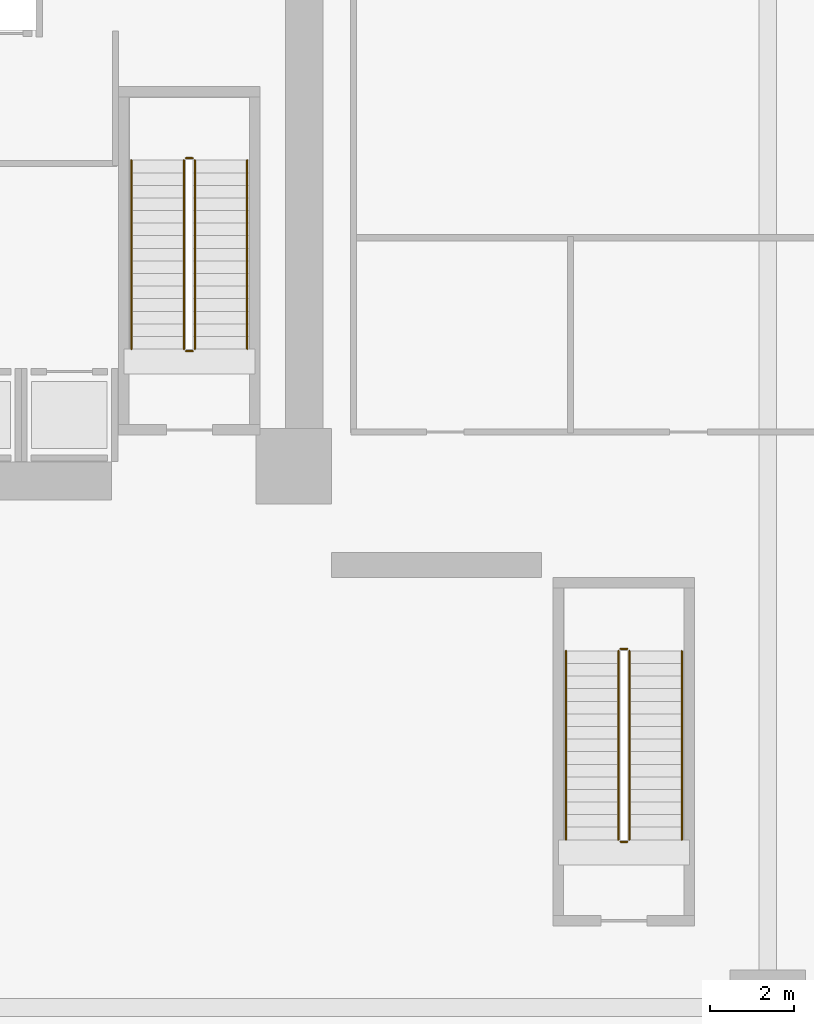
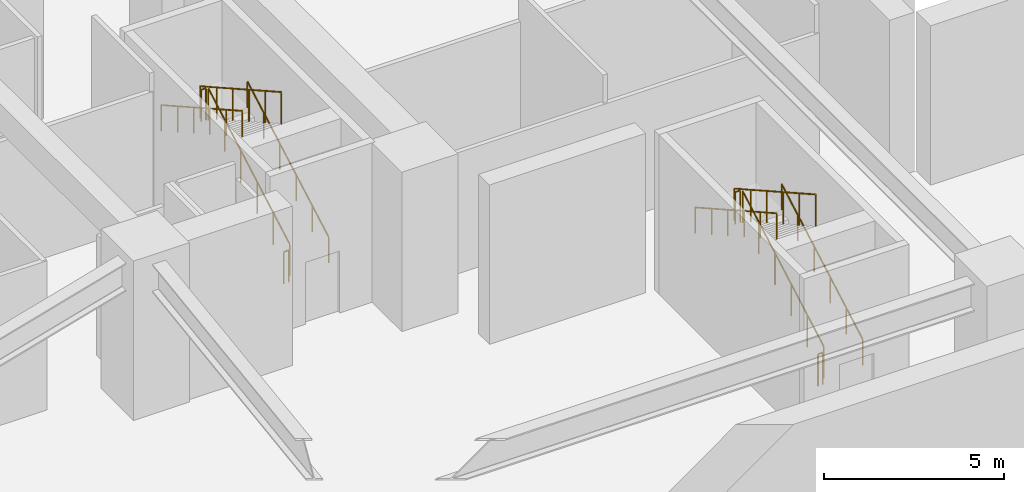
# One storey, part 8 of 9: 12 railings.
"""IFC4 building model written with IfcOpenShell, lengths in metres."""

from ifc_helpers import new_model, si_unit, direction, frame, origin, origin_2d, place, context, subcontext, project, spatial, circle, extrude, material, type_object, element, save


model = new_model("IFC4")

# Units and contexts
model_context = context("Model", 3, precision=1e-05, world=origin(), true_north=direction((0.0, 1.0)))
body_context = subcontext(model_context, "Body", "Model", "MODEL_VIEW")
ifc_project = project(units=[si_unit("LENGTHUNIT", "METRE"), si_unit("AREAUNIT", "SQUARE_METRE"), si_unit("VOLUMEUNIT", "CUBIC_METRE"), si_unit("PLANEANGLEUNIT", "RADIAN"), si_unit("MASSUNIT", "GRAM", prefix="KILO")], contexts=[model_context])

# Site, building, storey
site_placement = place(None, origin())
site = spatial("IfcSite", under=ifc_project, at=site_placement, CompositionType="ELEMENT")
building_placement = place(site_placement, origin())
building = spatial("IfcBuilding", under=site, at=building_placement, Name="Solvane Sanctuary Tower", CompositionType="ELEMENT")
storey_placement = place(building_placement, frame((0.0, 0.0, -5.39990234375)))
storey = spatial("IfcBuildingStorey", under=building, at=storey_placement, Name="B01", CompositionType="ELEMENT", Elevation=-5.39990234375)

# Railings
ifc_material = material(Name="Architectural Stainless Steel 316", Category="steel")
railing_type_1 = type_object("IfcRailingType", Name="Railing GR-BALC-1150", PredefinedType="BALUSTRADE", material=ifc_material)
railing_1_placement = place(storey_placement, frame((46.340087890625, 19.699951171875, 0.168701171875)))
element("IfcRailing", 1, at=railing_1_placement, inside=storey, type_object=railing_type_1, Name="B01 ST-2 stair guard 1", PredefinedType="BALUSTRADE", context=body_context, shape_type="SweptSolid", body=[
    extrude(circle(Radius=0.02392578125, at=origin_2d()), frame((0.0, 0.0, 1.076171875), z_axis=(0.0, 0.871575537125, 0.490261239633), x_axis=(-1.0, 0.0, 0.0)), (0.0, 0.0, 1.0), 5.1630859375),
    extrude(circle(Radius=0.02099609375, at=origin_2d()), origin(), (0.0, 0.0, 1.0), 1.052001953125),
    extrude(circle(Radius=0.02099609375, at=origin_2d()), frame((0.0, 0.89990234375, 0.50634765625)), (0.0, 0.0, 1.0), 1.052001953125),
    extrude(circle(Radius=0.02099609375, at=origin_2d()), frame((0.0, 1.800048828125, 1.012451171875)), (0.0, 0.0, 1.0), 1.052001953125),
    extrude(circle(Radius=0.02099609375, at=origin_2d()), frame((0.0, 2.699951171875, 1.518798828125)), (0.0, 0.0, 1.0), 1.052001953125),
    extrude(circle(Radius=0.02099609375, at=origin_2d()), frame((0.0, 3.60009765625, 2.02490234375)), (0.0, 0.0, 1.0), 1.052001953125),
    extrude(circle(Radius=0.02099609375, at=origin_2d()), frame((0.0, 4.5, 2.53125)), (0.0, 0.0, 1.0), 1.052001953125),
])
railing_2_placement = place(storey_placement, frame((46.2900390625, 24.25, 2.699951171875)))
element("IfcRailing", 2, at=railing_2_placement, inside=storey, type_object=railing_type_1, Name="B01 ST-2 stair guard 2", PredefinedType="BALUSTRADE", context=body_context, shape_type="SweptSolid", body=[
    extrude(circle(Radius=0.02392578125, at=origin_2d()), frame((0.0, 0.0, 1.076171875), z_axis=(-1.0, 0.0, 0.0), x_axis=(0.0, -1.0, 0.0)), (0.0, 0.0, 1.0), 0.16015625),
    extrude(circle(Radius=0.02099609375, at=origin_2d()), origin(), (0.0, 0.0, 1.0), 1.052001953125),
    extrude(circle(Radius=0.02099609375, at=origin_2d()), frame((-0.16015625, 0.0, 0.0)), (0.0, 0.0, 1.0), 1.052001953125),
])
railing_3_placement = place(storey_placement, frame((46.080078125, 24.199951171875, 2.86865234375)))
element("IfcRailing", 3, at=railing_3_placement, inside=storey, type_object=railing_type_1, Name="B01 ST-2 stair guard 3", PredefinedType="BALUSTRADE", context=body_context, shape_type="SweptSolid", body=[
    extrude(circle(Radius=0.02392578125, at=origin_2d()), frame((0.0, 0.0, 1.076171875), z_axis=(0.0, -0.871575537125, 0.490261239633), x_axis=(1.0, 0.0, 0.0)), (0.0, 0.0, 1.0), 5.1630859375),
    extrude(circle(Radius=0.02099609375, at=origin_2d()), origin(), (0.0, 0.0, 1.0), 1.052001953125),
    extrude(circle(Radius=0.02099609375, at=origin_2d()), frame((0.0, -0.89990234375, 0.50634765625)), (0.0, 0.0, 1.0), 1.052001953125),
    extrude(circle(Radius=0.02099609375, at=origin_2d()), frame((0.0, -1.800048828125, 1.012451171875)), (0.0, 0.0, 1.0), 1.052001953125),
    extrude(circle(Radius=0.02099609375, at=origin_2d()), frame((0.0, -2.699951171875, 1.518798828125)), (0.0, 0.0, 1.0), 1.052001953125),
    extrude(circle(Radius=0.02099609375, at=origin_2d()), frame((0.0, -3.60009765625, 2.02490234375)), (0.0, 0.0, 1.0), 1.052001953125),
    extrude(circle(Radius=0.02099609375, at=origin_2d()), frame((0.0, -4.5, 2.53125)), (0.0, 0.0, 1.0), 1.052001953125),
])
railing_4_placement = place(storey_placement, frame((46.2900390625, 19.64990234375, 0.0)))
element("IfcRailing", 4, at=railing_4_placement, inside=storey, type_object=railing_type_1, Name="B01 ST-2 stair guard 4", PredefinedType="BALUSTRADE", context=body_context, shape_type="SweptSolid", body=[
    extrude(circle(Radius=0.02392578125, at=origin_2d()), frame((0.0, 0.0, 1.076171875), z_axis=(-1.0, 0.0, 0.0), x_axis=(0.0, -1.0, 0.0)), (0.0, 0.0, 1.0), 0.16015625),
    extrude(circle(Radius=0.02099609375, at=origin_2d()), origin(), (0.0, 0.0, 1.0), 1.052001953125),
    extrude(circle(Radius=0.02099609375, at=origin_2d()), frame((-0.16015625, 0.0, 0.0)), (0.0, 0.0, 1.0), 1.052001953125),
])
railing_5_placement = place(storey_placement, frame((56.699951171875, 8.0, 0.168701171875)))
element("IfcRailing", 5, at=railing_5_placement, inside=storey, type_object=railing_type_1, Name="B01 ST-5 stair guard 1", PredefinedType="BALUSTRADE", context=body_context, shape_type="SweptSolid", body=[
    extrude(circle(Radius=0.02392578125, at=origin_2d()), frame((0.0, 0.0, 1.076171875), z_axis=(0.0, 0.871575537125, 0.490261239633), x_axis=(-1.0, 0.0, 0.0)), (0.0, 0.0, 1.0), 5.1630859375),
    extrude(circle(Radius=0.02099609375, at=origin_2d()), origin(), (0.0, 0.0, 1.0), 1.052001953125),
    extrude(circle(Radius=0.02099609375, at=origin_2d()), frame((0.0, 0.89990234375, 0.50634765625)), (0.0, 0.0, 1.0), 1.052001953125),
    extrude(circle(Radius=0.02099609375, at=origin_2d()), frame((0.0, 1.800048828125, 1.012451171875)), (0.0, 0.0, 1.0), 1.052001953125),
    extrude(circle(Radius=0.02099609375, at=origin_2d()), frame((0.0, 2.699951171875, 1.518798828125)), (0.0, 0.0, 1.0), 1.052001953125),
    extrude(circle(Radius=0.02099609375, at=origin_2d()), frame((0.0, 3.60009765625, 2.02490234375)), (0.0, 0.0, 1.0), 1.052001953125),
    extrude(circle(Radius=0.02099609375, at=origin_2d()), frame((0.0, 4.5, 2.53125)), (0.0, 0.0, 1.0), 1.052001953125),
])
railing_6_placement = place(storey_placement, frame((56.64990234375, 12.550048828125, 2.699951171875)))
element("IfcRailing", 6, at=railing_6_placement, inside=storey, type_object=railing_type_1, Name="B01 ST-5 stair guard 2", PredefinedType="BALUSTRADE", context=body_context, shape_type="SweptSolid", body=[
    extrude(circle(Radius=0.02392578125, at=origin_2d()), frame((0.0, 0.0, 1.076171875), z_axis=(-1.0, 0.0, 0.0), x_axis=(0.0, -1.0, 0.0)), (0.0, 0.0, 1.0), 0.159912109375),
    extrude(circle(Radius=0.02099609375, at=origin_2d()), origin(), (0.0, 0.0, 1.0), 1.052001953125),
    extrude(circle(Radius=0.02099609375, at=origin_2d()), frame((-0.159912109375, 0.0, 0.0)), (0.0, 0.0, 1.0), 1.052001953125),
])
railing_7_placement = place(storey_placement, frame((56.43994140625, 12.5, 2.86865234375)))
element("IfcRailing", 7, at=railing_7_placement, inside=storey, type_object=railing_type_1, Name="B01 ST-5 stair guard 3", PredefinedType="BALUSTRADE", context=body_context, shape_type="SweptSolid", body=[
    extrude(circle(Radius=0.02392578125, at=origin_2d()), frame((0.0, 0.0, 1.076171875), z_axis=(0.0, -0.871575537125, 0.490261239633), x_axis=(1.0, 0.0, 0.0)), (0.0, 0.0, 1.0), 5.1630859375),
    extrude(circle(Radius=0.02099609375, at=origin_2d()), origin(), (0.0, 0.0, 1.0), 1.052001953125),
    extrude(circle(Radius=0.02099609375, at=origin_2d()), frame((0.0, -0.89990234375, 0.50634765625)), (0.0, 0.0, 1.0), 1.052001953125),
    extrude(circle(Radius=0.02099609375, at=origin_2d()), frame((0.0, -1.800048828125, 1.012451171875)), (0.0, 0.0, 1.0), 1.052001953125),
    extrude(circle(Radius=0.02099609375, at=origin_2d()), frame((0.0, -2.699951171875, 1.518798828125)), (0.0, 0.0, 1.0), 1.052001953125),
    extrude(circle(Radius=0.02099609375, at=origin_2d()), frame((0.0, -3.60009765625, 2.02490234375)), (0.0, 0.0, 1.0), 1.052001953125),
    extrude(circle(Radius=0.02099609375, at=origin_2d()), frame((0.0, -4.5, 2.53125)), (0.0, 0.0, 1.0), 1.052001953125),
])
railing_8_placement = place(storey_placement, frame((56.64990234375, 7.949951171875, 0.0)))
element("IfcRailing", 8, at=railing_8_placement, inside=storey, type_object=railing_type_1, Name="B01 ST-5 stair guard 4", PredefinedType="BALUSTRADE", context=body_context, shape_type="SweptSolid", body=[
    extrude(circle(Radius=0.02392578125, at=origin_2d()), frame((0.0, 0.0, 1.076171875), z_axis=(-1.0, 0.0, 0.0), x_axis=(0.0, -1.0, 0.0)), (0.0, 0.0, 1.0), 0.159912109375),
    extrude(circle(Radius=0.02099609375, at=origin_2d()), origin(), (0.0, 0.0, 1.0), 1.052001953125),
    extrude(circle(Radius=0.02099609375, at=origin_2d()), frame((-0.159912109375, 0.0, 0.0)), (0.0, 0.0, 1.0), 1.052001953125),
])
railing_type_2 = type_object("IfcRailingType", Name="Railing HR-STAIR-920", PredefinedType="HANDRAIL", material=ifc_material)
railing_9_placement = place(storey_placement, frame((47.590087890625, 19.699951171875, 0.168701171875)))
element("IfcRailing", 9, at=railing_9_placement, inside=storey, type_object=railing_type_2, Name="B01 ST-2 stair handrail 1", PredefinedType="HANDRAIL", context=body_context, shape_type="SweptSolid", body=[
    extrude(circle(Radius=0.02392578125, at=origin_2d()), frame((0.0, 0.0, 0.8759765625), z_axis=(0.0, 0.871575537125, 0.490261239633), x_axis=(-1.0, 0.0, 0.0)), (0.0, 0.0, 1.0), 5.1630859375),
    extrude(circle(Radius=0.02099609375, at=origin_2d()), origin(), (0.0, 0.0, 1.0), 0.851806640625),
    extrude(circle(Radius=0.02099609375, at=origin_2d()), frame((0.0, 0.89990234375, 0.50634765625)), (0.0, 0.0, 1.0), 0.851806640625),
    extrude(circle(Radius=0.02099609375, at=origin_2d()), frame((0.0, 1.800048828125, 1.012451171875)), (0.0, 0.0, 1.0), 0.851806640625),
    extrude(circle(Radius=0.02099609375, at=origin_2d()), frame((0.0, 2.699951171875, 1.518798828125)), (0.0, 0.0, 1.0), 0.851806640625),
    extrude(circle(Radius=0.02099609375, at=origin_2d()), frame((0.0, 3.60009765625, 2.02490234375)), (0.0, 0.0, 1.0), 0.851806640625),
    extrude(circle(Radius=0.02099609375, at=origin_2d()), frame((0.0, 4.5, 2.53125)), (0.0, 0.0, 1.0), 0.851806640625),
])
railing_10_placement = place(storey_placement, frame((44.830078125, 24.199951171875, 2.86865234375)))
element("IfcRailing", 10, at=railing_10_placement, inside=storey, type_object=railing_type_2, Name="B01 ST-2 stair handrail 2", PredefinedType="HANDRAIL", context=body_context, shape_type="SweptSolid", body=[
    extrude(circle(Radius=0.02392578125, at=origin_2d()), frame((0.0, 0.0, 0.8759765625), z_axis=(0.0, -0.871575537125, 0.490261239633), x_axis=(1.0, 0.0, 0.0)), (0.0, 0.0, 1.0), 5.1630859375),
    extrude(circle(Radius=0.02099609375, at=origin_2d()), origin(), (0.0, 0.0, 1.0), 0.851806640625),
    extrude(circle(Radius=0.02099609375, at=origin_2d()), frame((0.0, -0.89990234375, 0.50634765625)), (0.0, 0.0, 1.0), 0.851806640625),
    extrude(circle(Radius=0.02099609375, at=origin_2d()), frame((0.0, -1.800048828125, 1.012451171875)), (0.0, 0.0, 1.0), 0.851806640625),
    extrude(circle(Radius=0.02099609375, at=origin_2d()), frame((0.0, -2.699951171875, 1.518798828125)), (0.0, 0.0, 1.0), 0.851806640625),
    extrude(circle(Radius=0.02099609375, at=origin_2d()), frame((0.0, -3.60009765625, 2.02490234375)), (0.0, 0.0, 1.0), 0.851806640625),
    extrude(circle(Radius=0.02099609375, at=origin_2d()), frame((0.0, -4.5, 2.53125)), (0.0, 0.0, 1.0), 0.851806640625),
])
railing_11_placement = place(storey_placement, frame((57.949951171875, 8.0, 0.168701171875)))
element("IfcRailing", 11, at=railing_11_placement, inside=storey, type_object=railing_type_2, Name="B01 ST-5 stair handrail 1", PredefinedType="HANDRAIL", context=body_context, shape_type="SweptSolid", body=[
    extrude(circle(Radius=0.02392578125, at=origin_2d()), frame((0.0, 0.0, 0.8759765625), z_axis=(0.0, 0.871575537125, 0.490261239633), x_axis=(-1.0, 0.0, 0.0)), (0.0, 0.0, 1.0), 5.1630859375),
    extrude(circle(Radius=0.02099609375, at=origin_2d()), origin(), (0.0, 0.0, 1.0), 0.851806640625),
    extrude(circle(Radius=0.02099609375, at=origin_2d()), frame((0.0, 0.89990234375, 0.50634765625)), (0.0, 0.0, 1.0), 0.851806640625),
    extrude(circle(Radius=0.02099609375, at=origin_2d()), frame((0.0, 1.800048828125, 1.012451171875)), (0.0, 0.0, 1.0), 0.851806640625),
    extrude(circle(Radius=0.02099609375, at=origin_2d()), frame((0.0, 2.699951171875, 1.518798828125)), (0.0, 0.0, 1.0), 0.851806640625),
    extrude(circle(Radius=0.02099609375, at=origin_2d()), frame((0.0, 3.60009765625, 2.02490234375)), (0.0, 0.0, 1.0), 0.851806640625),
    extrude(circle(Radius=0.02099609375, at=origin_2d()), frame((0.0, 4.5, 2.53125)), (0.0, 0.0, 1.0), 0.851806640625),
])
railing_12_placement = place(storey_placement, frame((55.18994140625, 12.5, 2.86865234375)))
element("IfcRailing", 12, at=railing_12_placement, inside=storey, type_object=railing_type_2, Name="B01 ST-5 stair handrail 2", PredefinedType="HANDRAIL", context=body_context, shape_type="SweptSolid", body=[
    extrude(circle(Radius=0.02392578125, at=origin_2d()), frame((0.0, 0.0, 0.8759765625), z_axis=(0.0, -0.871575537125, 0.490261239633), x_axis=(1.0, 0.0, 0.0)), (0.0, 0.0, 1.0), 5.1630859375),
    extrude(circle(Radius=0.02099609375, at=origin_2d()), origin(), (0.0, 0.0, 1.0), 0.851806640625),
    extrude(circle(Radius=0.02099609375, at=origin_2d()), frame((0.0, -0.89990234375, 0.50634765625)), (0.0, 0.0, 1.0), 0.851806640625),
    extrude(circle(Radius=0.02099609375, at=origin_2d()), frame((0.0, -1.800048828125, 1.012451171875)), (0.0, 0.0, 1.0), 0.851806640625),
    extrude(circle(Radius=0.02099609375, at=origin_2d()), frame((0.0, -2.699951171875, 1.518798828125)), (0.0, 0.0, 1.0), 0.851806640625),
    extrude(circle(Radius=0.02099609375, at=origin_2d()), frame((0.0, -3.60009765625, 2.02490234375)), (0.0, 0.0, 1.0), 0.851806640625),
    extrude(circle(Radius=0.02099609375, at=origin_2d()), frame((0.0, -4.5, 2.53125)), (0.0, 0.0, 1.0), 0.851806640625),
])

save(model, "model.ifc")
